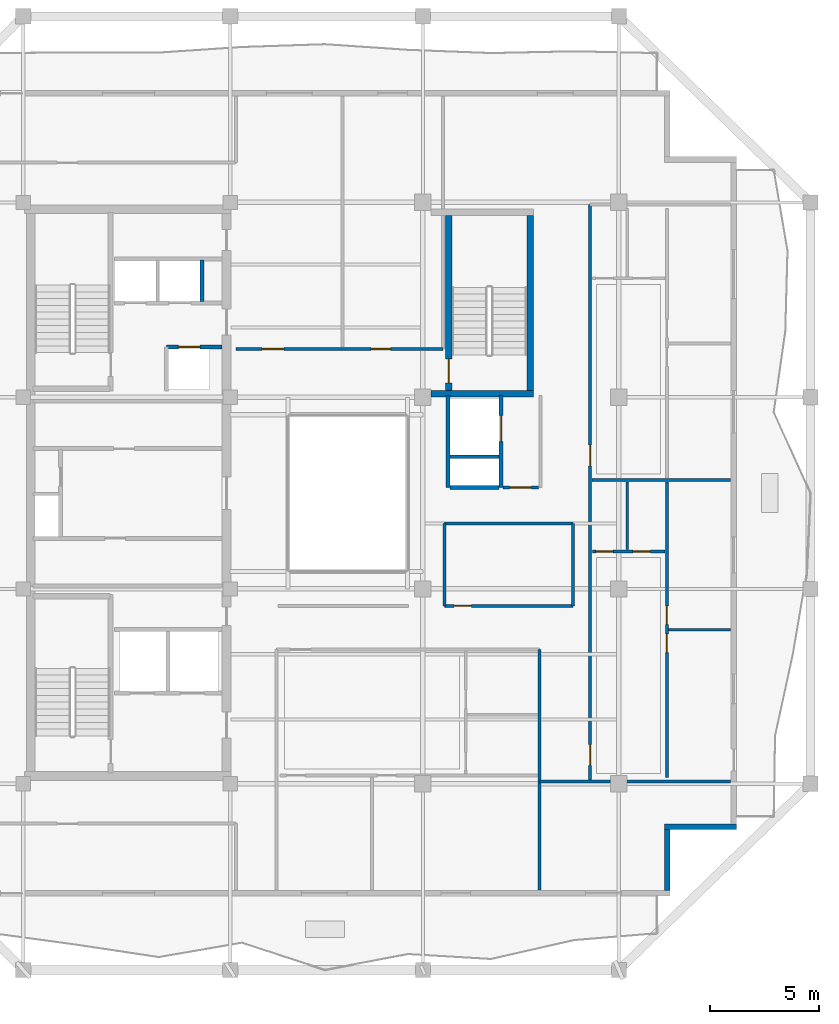
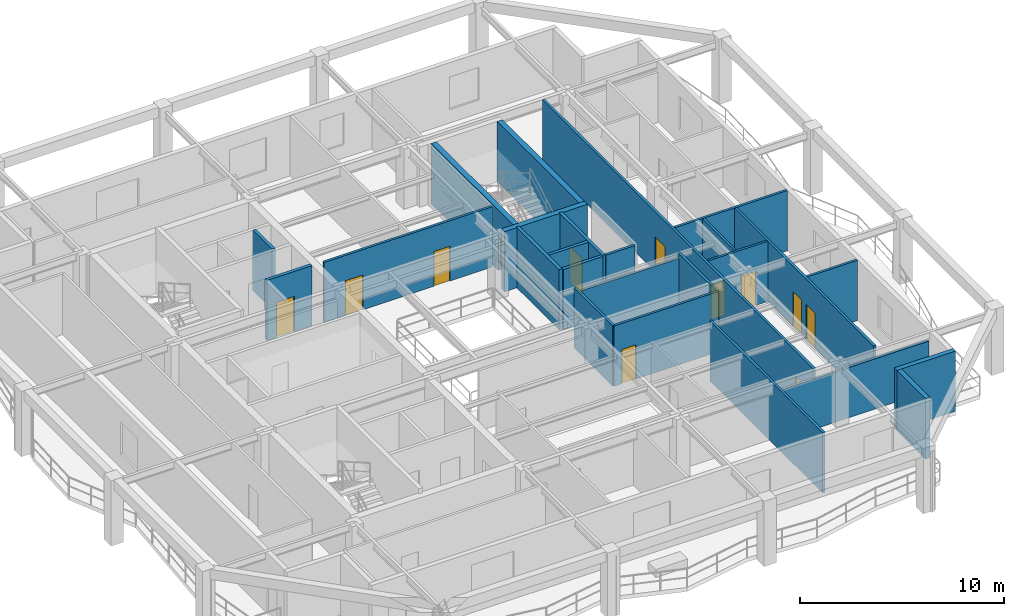
# One storey, part 4 of 10: 25 walls, 13 doors, 13 openings.
"""IFC4 building model written with IfcOpenShell, lengths in metres."""

from ifc_helpers import new_model, si_unit, direction, frame, frame_2d, origin, place, context, subcontext, project, spatial, rectangle, extrude, material, layer, layer_set, type_object, element, fill, save


model = new_model("IFC4")

# Units and contexts
model_context = context("Model", 3, precision=1e-05, world=origin(), true_north=direction((0.0, 1.0)))
body_context = subcontext(model_context, "Body", "Model", "MODEL_VIEW")
ifc_project = project(units=[si_unit("LENGTHUNIT", "METRE"), si_unit("AREAUNIT", "SQUARE_METRE"), si_unit("VOLUMEUNIT", "CUBIC_METRE"), si_unit("PLANEANGLEUNIT", "RADIAN"), si_unit("MASSUNIT", "GRAM", prefix="KILO")], contexts=[model_context])

# Site, building, storey
site_placement = place(None, origin())
site = spatial("IfcSite", under=ifc_project, at=site_placement, CompositionType="ELEMENT")
building_placement = place(site_placement, origin())
building = spatial("IfcBuilding", under=site, at=building_placement, Name="Kundavana Baori Tower", CompositionType="ELEMENT")
storey_placement = place(building_placement, frame((0.0, 0.0, 303.800048828125)))
storey = spatial("IfcBuildingStorey", under=building, at=storey_placement, Name="L75", CompositionType="ELEMENT", Elevation=303.800048828125)

# Walls
ifc_material_1 = material(Name="Kiln-Fired Terracotta Brick-Slip Masonry on Concrete C40/50", Category="masonry")
ifc_layer_1 = layer(ifc_material_1, 0.260009765625, Name="WL-EXT-BRK-260")
ifc_layer_set_1 = layer_set([ifc_layer_1], Name="Kiln-Fired Terracotta Brick-Slip Masonry on Concrete C40/50")
wall_type_1 = type_object("IfcWallType", Name="WL-EXT-BRK-260", PredefinedType="SOLIDWALL", material=ifc_layer_set_1)
wall_1_placement = place(storey_placement, frame((45.02001953125, 10.360107421875, 0.0), z_axis=(0.0, 0.0, 1.0), x_axis=(0.0, 1.0, 0.0)))
element("IfcWall", 1, at=wall_1_placement, inside=storey, type_object=wall_type_1, Name="L75 Exterior Insulated Facade Wall 02", PredefinedType="SOLIDWALL", context=body_context, shape_type="SweptSolid", body=[
    extrude(rectangle(XDim=2.789794921875, YDim=0.260009765625, at=frame_2d((1.39501953125, 0.0))), origin(), (0.0, 0.0, 1.0), 3.599853515625),
])
wall_2_placement = place(storey_placement, frame((44.889892578125, 13.280029296875, 0.0), z_axis=(0.0, 0.0, 1.0), x_axis=(1.0, 0.0, 0.0)))
element("IfcWall", 2, at=wall_2_placement, inside=storey, type_object=wall_type_1, Name="L75 Exterior Insulated Facade Wall 03", PredefinedType="SOLIDWALL", context=body_context, shape_type="SweptSolid", body=[
    extrude(rectangle(XDim=3.31005859375, YDim=0.260009765625, at=frame_2d((1.655029296875, 0.0))), origin(), (0.0, 0.0, 1.0), 3.599853515625),
])

# Wall, openings, doors
ifc_material_2 = material(Name="Acoustic Gypsum Plasterboard on Galvanised Steel Studs", Category="steel")
ifc_layer_2 = layer(ifc_material_2, 0.135009765625, Name="WL-PART-135")
ifc_layer_set_2 = layer_set([ifc_layer_2], Name="Acoustic Gypsum Plasterboard on Galvanised Steel Studs")
wall_type_2 = type_object("IfcWallType", Name="WL-PART-135", PredefinedType="PARTITIONING", material=ifc_layer_set_2)
wall_3_placement = place(storey_placement, frame((25.219970703125, 35.219970703125, 0.0), z_axis=(0.0, 0.0, 1.0), x_axis=(1.0, 0.0, 0.0)))
wall_3 = element("IfcWall", 3, at=wall_3_placement, inside=storey, type_object=wall_type_2, Name="WL-L75-RN", PredefinedType="PARTITIONING", context=body_context, shape_type="SweptSolid", body=[
    extrude(rectangle(XDim=9.5, YDim=0.135009765625, at=frame_2d((4.75, 0.0))), origin(), (0.0, 0.0, 1.0), 3.599853515625),
])
opening_1_placement = place(wall_3_placement, frame((1.199951171875, 0.0, 0.0)))
opening_1 = element("IfcOpeningElement", 4, at=opening_1_placement, cuts=wall_3, Name="Opening ID-100", PredefinedType="OPENING", context=body_context, shape_type="SweptSolid", body=[
    extrude(rectangle(XDim=1.0, YDim=2.080078125, at=frame_2d((0.5, 1.0400390625))), frame((0.0, 0.07763671875, 0.0), z_axis=(0.0, -1.0, 0.0), x_axis=(1.0, 0.0, 0.0)), (0.0, 0.0, 1.0), 0.155029296875),
])
opening_2_placement = place(wall_3_placement, frame((6.199951171875, 0.0, 0.0)))
opening_2 = element("IfcOpeningElement", 5, at=opening_2_placement, cuts=wall_3, Name="Opening ID-090", PredefinedType="OPENING", context=body_context, shape_type="SweptSolid", body=[
    extrude(rectangle(XDim=0.89990234375, YDim=2.080078125, at=frame_2d((0.449951171875, 1.0400390625))), frame((0.0, 0.07763671875, 0.0), z_axis=(0.0, -1.0, 0.0), x_axis=(1.0, 0.0, 0.0)), (0.0, 0.0, 1.0), 0.155029296875),
])
ifc_material_3 = material(Name="Engineered Teak Solid-Core Timber Veneer", Category="wood")
door_type_1 = type_object("IfcDoorType", Name="DR-INT-1000", OperationType="NOTDEFINED", PredefinedType="DOOR", material=ifc_material_3)
door_1_placement = place(opening_1_placement, origin())
door_1 = element("IfcDoor", 6, at=door_1_placement, inside=storey, type_object=door_type_1, Name="DR-L75-RLN1", OperationType="SINGLE_SWING_LEFT", OverallHeight=2.080078125, OverallWidth=1.0, PredefinedType="DOOR", context=body_context, shape_type="SweptSolid", body=[
    extrude(rectangle(XDim=1.0, YDim=2.080078125, at=frame_2d((0.5, 1.0400390625))), frame((0.0, 0.02490234375, 0.0), z_axis=(0.0, -1.0, 0.0), x_axis=(1.0, 0.0, 0.0)), (0.0, 0.0, 1.0), 0.050048828125),
])
fill(opening_1, door_1)
ifc_material_4 = material(Name="Engineered Teak Solid-Core Timber Veneer", Category="wood")
door_type_2 = type_object("IfcDoorType", Name="DR-INT-900", OperationType="NOTDEFINED", PredefinedType="DOOR", material=ifc_material_4)
door_2_placement = place(opening_2_placement, origin())
door_2 = element("IfcDoor", 7, at=door_2_placement, inside=storey, type_object=door_type_2, Name="DR-L75-RLN2", OperationType="SINGLE_SWING_RIGHT", OverallHeight=2.080078125, OverallWidth=0.89990234375, PredefinedType="DOOR", context=body_context, shape_type="SweptSolid", body=[
    extrude(rectangle(XDim=0.89990234375, YDim=2.080078125, at=frame_2d((0.449951171875, 1.0400390625))), frame((0.0, 0.02490234375, 0.0), z_axis=(0.0, -1.0, 0.0), x_axis=(1.0, 0.0, 0.0)), (0.0, 0.0, 1.0), 0.050048828125),
])
fill(opening_2, door_2)

# Wall
wall_4_placement = place(storey_placement, frame((39.14990234375, 10.3798828125, 0.0), z_axis=(0.0, 0.0, 1.0), x_axis=(0.0, 1.0, 0.0)))
element("IfcWall", 8, at=wall_4_placement, inside=storey, type_object=wall_type_2, Name="WL-L75-RSEND", PredefinedType="PARTITIONING", context=body_context, shape_type="SweptSolid", body=[
    extrude(rectangle(XDim=11.0400390625, YDim=0.135009765625, at=frame_2d((5.52001953125, 0.0))), origin(), (0.0, 0.0, 1.0), 3.599853515625),
])

# Wall, openings, doors
wall_5_placement = place(storey_placement, frame((41.47998046875, 15.35009765625, 0.0), z_axis=(0.0, 0.0, 1.0), x_axis=(0.0, 1.0, 0.0)))
wall_5 = element("IfcWall", 9, at=wall_5_placement, inside=storey, type_object=wall_type_2, Name="WL-L75-RE", PredefinedType="PARTITIONING", context=body_context, shape_type="SweptSolid", body=[
    extrude(rectangle(XDim=26.5, YDim=0.135009765625, at=frame_2d((13.25, 0.0))), origin(), (0.0, 0.0, 1.0), 3.599853515625),
])
opening_3_placement = place(wall_5_placement, frame((0.75, 0.0, 0.0)))
opening_3 = element("IfcOpeningElement", 10, at=opening_3_placement, cuts=wall_5, Name="Opening FD-095", PredefinedType="OPENING", context=body_context, shape_type="SweptSolid", body=[
    extrude(rectangle(XDim=0.949951171875, YDim=2.10009765625, at=frame_2d((0.47509765625, 1.050048828125))), frame((0.0, 0.07763671875, 0.0), z_axis=(0.0, -1.0, 0.0), x_axis=(1.0, 0.0, 0.0)), (0.0, 0.0, 1.0), 0.155029296875),
])
opening_4_placement = place(wall_5_placement, frame((14.5, 0.0, 0.0)))
opening_4 = element("IfcOpeningElement", 11, at=opening_4_placement, cuts=wall_5, Name="Opening FD-095", PredefinedType="OPENING", context=body_context, shape_type="SweptSolid", body=[
    extrude(rectangle(XDim=0.949951171875, YDim=2.10009765625, at=frame_2d((0.47509765625, 1.050048828125))), frame((0.0, 0.07763671875, 0.0), z_axis=(0.0, -1.0, 0.0), x_axis=(1.0, 0.0, 0.0)), (0.0, 0.0, 1.0), 0.155029296875),
])
ifc_material_5 = material(Name="Engineered Teak Fire-Rated Timber Door Leaf", Category="wood")
door_type_3 = type_object("IfcDoorType", Name="DR-FD60-950", OperationType="NOTDEFINED", PredefinedType="DOOR", material=ifc_material_5)
door_3_placement = place(opening_3_placement, origin())
door_3 = element("IfcDoor", 12, at=door_3_placement, inside=storey, type_object=door_type_3, Name="DR-L75-E1-ENT", OperationType="SINGLE_SWING_LEFT", OverallHeight=2.10009765625, OverallWidth=0.949951171875, PredefinedType="DOOR", context=body_context, shape_type="SweptSolid", body=[
    extrude(rectangle(XDim=0.949951171875, YDim=2.10009765625, at=frame_2d((0.47509765625, 1.050048828125))), frame((0.0, 0.02490234375, 0.0), z_axis=(0.0, -1.0, 0.0), x_axis=(1.0, 0.0, 0.0)), (0.0, 0.0, 1.0), 0.050048828125),
])
fill(opening_3, door_3)
door_4_placement = place(opening_4_placement, origin())
door_4 = element("IfcDoor", 13, at=door_4_placement, inside=storey, type_object=door_type_3, Name="DR-L75-E2-ENT", OperationType="SINGLE_SWING_LEFT", OverallHeight=2.10009765625, OverallWidth=0.949951171875, PredefinedType="DOOR", context=body_context, shape_type="SweptSolid", body=[
    extrude(rectangle(XDim=0.949951171875, YDim=2.10009765625, at=frame_2d((0.47509765625, 1.050048828125))), frame((0.0, 0.02490234375, 0.0), z_axis=(0.0, -1.0, 0.0), x_axis=(1.0, 0.0, 0.0)), (0.0, 0.0, 1.0), 0.050048828125),
])
fill(opening_4, door_4)

# Wall
wall_6_placement = place(storey_placement, frame((39.14990234375, 15.35009765625, 0.0), z_axis=(0.0, 0.0, 1.0), x_axis=(1.0, 0.0, 0.0)))
element("IfcWall", 14, at=wall_6_placement, inside=storey, type_object=wall_type_2, Name="WL-L75-RES", PredefinedType="PARTITIONING", context=body_context, shape_type="SweptSolid", body=[
    extrude(rectangle(XDim=8.77001953125, YDim=0.135009765625, at=frame_2d((4.385009765625, 0.0))), origin(), (0.0, 0.0, 1.0), 3.0),
])

# Wall, openings, doors
wall_7_placement = place(storey_placement, frame((45.00390625, 15.530029296875, 0.0), z_axis=(0.0, 0.0, 1.0), x_axis=(0.0, 1.0, 0.0)))
wall_7 = element("IfcWall", 15, at=wall_7_placement, inside=storey, type_object=wall_type_2, Name="WL-L75-E1-VT", PredefinedType="PARTITIONING", context=body_context, shape_type="SweptSolid", body=[
    extrude(rectangle(XDim=13.590087890625, YDim=0.135009765625, at=frame_2d((6.794921875, 0.0))), origin(), (0.0, 0.0, 1.0), 3.599853515625),
])
opening_5_placement = place(wall_7_placement, frame((5.7451171875, 0.0, 0.0)))
opening_5 = element("IfcOpeningElement", 16, at=opening_5_placement, cuts=wall_7, Name="Opening ID-085", PredefinedType="OPENING", context=body_context, shape_type="SweptSolid", body=[
    extrude(rectangle(XDim=0.85009765625, YDim=2.080078125, at=frame_2d((0.425048828125, 1.0400390625))), frame((0.0, 0.07763671875, 0.0), z_axis=(0.0, -1.0, 0.0), x_axis=(1.0, 0.0, 0.0)), (0.0, 0.0, 1.0), 0.155029296875),
])
opening_6_placement = place(wall_7_placement, frame((7.044921875, 0.0, 0.0)))
opening_6 = element("IfcOpeningElement", 17, at=opening_6_placement, cuts=wall_7, Name="Opening ID-085", PredefinedType="OPENING", context=body_context, shape_type="SweptSolid", body=[
    extrude(rectangle(XDim=0.85009765625, YDim=2.080078125, at=frame_2d((0.425048828125, 1.0400390625))), frame((0.0, 0.07763671875, 0.0), z_axis=(0.0, -1.0, 0.0), x_axis=(1.0, 0.0, 0.0)), (0.0, 0.0, 1.0), 0.155029296875),
])
ifc_material_6 = material(Name="Engineered Teak Solid-Core Timber Veneer", Category="wood")
door_type_4 = type_object("IfcDoorType", Name="DR-INT-850", OperationType="NOTDEFINED", PredefinedType="DOOR", material=ifc_material_6)
door_5_placement = place(opening_5_placement, origin())
door_5 = element("IfcDoor", 18, at=door_5_placement, inside=storey, type_object=door_type_4, Name="DR-L75-E1-B1", OperationType="SINGLE_SWING_LEFT", OverallHeight=2.080078125, OverallWidth=0.85009765625, PredefinedType="DOOR", context=body_context, shape_type="SweptSolid", body=[
    extrude(rectangle(XDim=0.85009765625, YDim=2.080078125, at=frame_2d((0.425048828125, 1.0400390625))), frame((0.0, 0.02490234375, 0.0), z_axis=(0.0, -1.0, 0.0), x_axis=(1.0, 0.0, 0.0)), (0.0, 0.0, 1.0), 0.050048828125),
])
fill(opening_5, door_5)
door_6_placement = place(opening_6_placement, origin())
door_6 = element("IfcDoor", 19, at=door_6_placement, inside=storey, type_object=door_type_4, Name="DR-L75-E1-B2", OperationType="SINGLE_SWING_RIGHT", OverallHeight=2.080078125, OverallWidth=0.85009765625, PredefinedType="DOOR", context=body_context, shape_type="SweptSolid", body=[
    extrude(rectangle(XDim=0.85009765625, YDim=2.080078125, at=frame_2d((0.425048828125, 1.0400390625))), frame((0.0, 0.02490234375, 0.0), z_axis=(0.0, -1.0, 0.0), x_axis=(1.0, 0.0, 0.0)), (0.0, 0.0, 1.0), 0.050048828125),
])
fill(opening_6, door_6)

# Walls
wall_8_placement = place(storey_placement, frame((45.083984375, 22.324951171875, 0.0), z_axis=(0.0, 0.0, 1.0), x_axis=(1.0, 0.0, 0.0)))
element("IfcWall", 20, at=wall_8_placement, inside=storey, type_object=wall_type_2, Name="WL-L75-E1-BDH", PredefinedType="PARTITIONING", context=body_context, shape_type="SweptSolid", body=[
    extrude(rectangle(XDim=2.8359375, YDim=0.135009765625, at=frame_2d((1.41796875, 0.0))), origin(), (0.0, 0.0, 1.0), 3.599853515625),
])
wall_9_placement = place(storey_placement, frame((41.56005859375, 29.199951171875, 0.0), z_axis=(0.0, 0.0, 1.0), x_axis=(1.0, 0.0, 0.0)))
element("IfcWall", 21, at=wall_9_placement, inside=storey, type_object=wall_type_2, Name="WL-L75-RED1", PredefinedType="PARTITIONING", context=body_context, shape_type="SweptSolid", body=[
    extrude(rectangle(XDim=6.35986328125, YDim=0.135009765625, at=frame_2d((3.179931640625, 0.0))), origin(), (0.0, 0.0, 1.0), 3.599853515625),
])

# Wall, opening, door
wall_10_placement = place(storey_placement, frame((34.800048828125, 23.419921875, 0.0), z_axis=(0.0, 0.0, 1.0), x_axis=(1.0, 0.0, 0.0)))
wall_10 = element("IfcWall", 22, at=wall_10_placement, inside=storey, type_object=wall_type_2, Name="WL-L75-ALS", PredefinedType="PARTITIONING", context=body_context, shape_type="SweptSolid", body=[
    extrude(rectangle(XDim=5.89990234375, YDim=0.135009765625, at=frame_2d((2.949951171875, 0.0))), origin(), (0.0, 0.0, 1.0), 3.599853515625),
])
opening_7_placement = place(wall_10_placement, frame((0.429931640625, 0.0, 0.0)))
opening_7 = element("IfcOpeningElement", 23, at=opening_7_placement, cuts=wall_10, Name="Opening WD-080", PredefinedType="OPENING", context=body_context, shape_type="SweptSolid", body=[
    extrude(rectangle(XDim=0.800048828125, YDim=2.050048828125, at=frame_2d((0.39990234375, 1.02490234375))), frame((0.0, 0.07763671875, 0.0), z_axis=(0.0, -1.0, 0.0), x_axis=(1.0, 0.0, 0.0)), (0.0, 0.0, 1.0), 0.155029296875),
])
ifc_material_7 = material(Name="Engineered Teak Solid-Core Timber Veneer", Category="wood")
door_type_5 = type_object("IfcDoorType", Name="DR-WET-800", OperationType="NOTDEFINED", PredefinedType="DOOR", material=ifc_material_7)
door_7_placement = place(opening_7_placement, origin())
door_7 = element("IfcDoor", 24, at=door_7_placement, inside=storey, type_object=door_type_5, Name="DR-L75-RALC1", OperationType="SINGLE_SWING_LEFT", OverallHeight=2.050048828125, OverallWidth=0.800048828125, PredefinedType="DOOR", context=body_context, shape_type="SweptSolid", body=[
    extrude(rectangle(XDim=0.800048828125, YDim=2.050048828125, at=frame_2d((0.39990234375, 1.02490234375))), frame((0.0, 0.02490234375, 0.0), z_axis=(0.0, -1.0, 0.0), x_axis=(1.0, 0.0, 0.0)), (0.0, 0.0, 1.0), 0.050048828125),
])
fill(opening_7, door_7)

# Walls
wall_11_placement = place(storey_placement, frame((34.800048828125, 27.199951171875, 0.0), z_axis=(0.0, 0.0, 1.0), x_axis=(1.0, 0.0, 0.0)))
element("IfcWall", 25, at=wall_11_placement, inside=storey, type_object=wall_type_2, Name="WL-L75-ALN", PredefinedType="PARTITIONING", context=body_context, shape_type="SweptSolid", body=[
    extrude(rectangle(XDim=5.89990234375, YDim=0.135009765625, at=frame_2d((2.949951171875, 0.0))), origin(), (0.0, 0.0, 1.0), 3.300048828125),
])
for number, where, z_axis, x_axis, name in (
    (26, (34.800048828125, 23.419921875, 0.0), (0.0, 0.0, 1.0), (0.0, 1.0, 0.0), "WL-L75-ALW"),
    (27, (40.699951171875, 23.419921875, 0.0), (0.0, 0.0, 1.0), (0.0, 1.0, 0.0), "WL-L75-ALE"),
):
    element("IfcWall", number, at=place(storey_placement, frame(where, z_axis=z_axis, x_axis=x_axis)), inside=storey, type_object=wall_type_2, Name=name, PredefinedType="PARTITIONING", context=body_context, shape_type="SweptSolid", body=[
        extrude(rectangle(XDim=3.780029296875, YDim=0.135009765625, at=frame_2d((1.89013671875, 0.0))), origin(), (0.0, 0.0, 1.0), 3.599853515625),
    ])

# Wall, opening, door
ifc_material_8 = material(Name="Fire-Rated Gypsum Drywall on Galvanised Steel Studs", Category="steel")
ifc_layer_3 = layer(ifc_material_8, 0.14990234375, Name="WL-PART-150")
ifc_layer_set_3 = layer_set([ifc_layer_3], Name="Fire-Rated Gypsum Drywall on Galvanised Steel Studs")
wall_type_3 = type_object("IfcWallType", Name="WL-PART-150", PredefinedType="PARTITIONING", material=ifc_layer_set_3)
wall_12_placement = place(storey_placement, frame((37.47998046875, 28.860107421875, 0.0), z_axis=(0.0, 0.0, 1.0), x_axis=(1.0, 0.0, 0.0)))
wall_12 = element("IfcWall", 28, at=wall_12_placement, inside=storey, type_object=wall_type_3, Name="WL-L75-SVLOB-S", PredefinedType="PARTITIONING", context=body_context, shape_type="SweptSolid", body=[
    extrude(rectangle(XDim=1.64013671875, YDim=0.14990234375, at=frame_2d((0.820068359375, 0.0))), origin(), (0.0, 0.0, 1.0), 3.599853515625),
])
opening_8_placement = place(wall_12_placement, frame((0.300048828125, 0.0, 0.0)))
opening_8 = element("IfcOpeningElement", 29, at=opening_8_placement, cuts=wall_12, Name="Opening FD-100", PredefinedType="OPENING", context=body_context, shape_type="SweptSolid", body=[
    extrude(rectangle(XDim=1.0, YDim=2.10009765625, at=frame_2d((0.5, 1.050048828125))), frame((0.0, 0.0849609375, 0.0), z_axis=(0.0, -1.0, 0.0), x_axis=(1.0, 0.0, 0.0)), (0.0, 0.0, 1.0), 0.169921875),
])
ifc_material_9 = material(Name="Engineered Teak Fire-Rated Timber Door Leaf", Category="wood")
door_type_6 = type_object("IfcDoorType", Name="DR-FD60-1000", OperationType="NOTDEFINED", PredefinedType="DOOR", material=ifc_material_9)
door_8_placement = place(opening_8_placement, origin())
door_8 = element("IfcDoor", 30, at=door_8_placement, inside=storey, type_object=door_type_6, Name="DR-L75-SVLOB-OUT", OperationType="SINGLE_SWING_LEFT", OverallHeight=2.10009765625, OverallWidth=1.0, PredefinedType="DOOR", context=body_context, shape_type="SweptSolid", body=[
    extrude(rectangle(XDim=1.0, YDim=2.10009765625, at=frame_2d((0.5, 1.050048828125))), frame((0.0, 0.02490234375, 0.0), z_axis=(0.0, -1.0, 0.0), x_axis=(1.0, 0.0, 0.0)), (0.0, 0.0, 1.0), 0.050048828125),
])
fill(opening_8, door_8)

ifc_material_10 = material(Name="Autoclaved Aerated Concrete Blockwork Masonry", Category="masonry")
ifc_layer_4 = layer(ifc_material_10, 0.179931640625, Name="WL-SHAFT-180")
ifc_layer_set_4 = layer_set([ifc_layer_4], Name="Autoclaved Aerated Concrete Blockwork Masonry")
wall_type_4 = type_object("IfcWallType", Name="WL-SHAFT-180", PredefinedType="SOLIDWALL", material=ifc_layer_set_4)
wall_13_placement = place(storey_placement, frame((22.02001953125, 35.31005859375, 0.0), z_axis=(0.0, 0.0, 1.0), x_axis=(1.0, 0.0, 0.0)))
wall_13 = element("IfcWall", 31, at=wall_13_placement, inside=storey, type_object=wall_type_4, Name="WL-L75-LP11-N", PredefinedType="SOLIDWALL", context=body_context, shape_type="SweptSolid", body=[
    extrude(rectangle(XDim=2.56005859375, YDim=0.179931640625, at=frame_2d((1.280029296875, 0.0))), origin(), (0.0, 0.0, 1.0), 3.599853515625),
])
opening_9_placement = place(wall_13_placement, frame((0.550048828125, 0.0, 0.0)))
opening_9 = element("IfcOpeningElement", 32, at=opening_9_placement, cuts=wall_13, Name="Opening LD-100", PredefinedType="OPENING", context=body_context, shape_type="SweptSolid", body=[
    extrude(rectangle(XDim=1.0, YDim=2.10009765625, at=frame_2d((0.5, 1.050048828125))), frame((0.0, 0.10009765625, 0.0), z_axis=(0.0, -1.0, 0.0), x_axis=(1.0, 0.0, 0.0)), (0.0, 0.0, 1.0), 0.199951171875),
])
ifc_material_11 = material(Name="Galvanised Steel Fire-Rated Door Leaf", Category="steel")
door_type_7 = type_object("IfcDoorType", Name="DR-SLIDE-LD1000", OperationType="NOTDEFINED", PredefinedType="DOOR", material=ifc_material_11)
door_9_placement = place(opening_9_placement, origin())
door_9 = element("IfcDoor", 33, at=door_9_placement, inside=storey, type_object=door_type_7, Name="DR-L75-LD-LP11", OperationType="DOUBLE_DOOR_SLIDING", OverallHeight=2.10009765625, OverallWidth=1.0, PredefinedType="DOOR", context=body_context, shape_type="SweptSolid", body=[
    extrude(rectangle(XDim=1.0, YDim=2.10009765625, at=frame_2d((0.5, 1.050048828125))), frame((0.0, 0.02490234375, 0.0), z_axis=(0.0, -1.0, 0.0), x_axis=(1.0, 0.0, 0.0)), (0.0, 0.0, 1.0), 0.050048828125),
])
fill(opening_9, door_9)

# Walls
wall_14_placement = place(storey_placement, frame((23.659912109375, 37.39990234375, 0.0), z_axis=(0.0, 0.0, 1.0), x_axis=(0.0, 1.0, 0.0)))
element("IfcWall", 34, at=wall_14_placement, inside=storey, type_object=wall_type_4, Name="WL-L75-HR-DIV2", PredefinedType="SOLIDWALL", context=body_context, shape_type="SweptSolid", body=[
    extrude(rectangle(XDim=1.900146484375, YDim=0.179931640625, at=frame_2d((0.9501953125, 0.0))), origin(), (0.0, 0.0, 1.0), 3.599853515625),
])
wall_15_placement = place(storey_placement, frame((34.9599609375, 28.860107421875, 0.0), z_axis=(0.0, 0.0, 1.0), x_axis=(0.0, 1.0, 0.0)))
element("IfcWall", 35, at=wall_15_placement, inside=storey, type_object=wall_type_4, Name="WL-L75-SVL-W", PredefinedType="SOLIDWALL", context=body_context, shape_type="SweptSolid", body=[
    extrude(rectangle(XDim=4.219970703125, YDim=0.179931640625, at=frame_2d((2.10986328125, 0.0))), origin(), (0.0, 0.0, 1.0), 3.599853515625),
])

# Wall, opening, door
wall_16_placement = place(storey_placement, frame((37.389892578125, 28.860107421875, 0.0), z_axis=(0.0, 0.0, 1.0), x_axis=(0.0, 1.0, 0.0)))
wall_16 = element("IfcWall", 36, at=wall_16_placement, inside=storey, type_object=wall_type_4, Name="WL-L75-SVL-E", PredefinedType="SOLIDWALL", context=body_context, shape_type="SweptSolid", body=[
    extrude(rectangle(XDim=4.219970703125, YDim=0.179931640625, at=frame_2d((2.10986328125, 0.0))), origin(), (0.0, 0.0, 1.0), 3.599853515625),
])
opening_10_placement = place(wall_16_placement, frame((2.10009765625, 0.0, 0.0)))
opening_10 = element("IfcOpeningElement", 37, at=opening_10_placement, cuts=wall_16, Name="Opening LD-120", PredefinedType="OPENING", context=body_context, shape_type="SweptSolid", body=[
    extrude(rectangle(XDim=1.199951171875, YDim=2.1201171875, at=frame_2d((0.60009765625, 1.06005859375))), frame((0.0, 0.10009765625, 0.0), z_axis=(0.0, -1.0, 0.0), x_axis=(1.0, 0.0, 0.0)), (0.0, 0.0, 1.0), 0.199951171875),
])
ifc_material_12 = material(Name="Galvanised Steel Fire-Rated Door Leaf", Category="steel")
door_type_8 = type_object("IfcDoorType", Name="DR-SLIDE-LD1200", OperationType="NOTDEFINED", PredefinedType="DOOR", material=ifc_material_12)
door_10_placement = place(opening_10_placement, frame((1.199951171875, 0.0, 0.0), z_axis=(0.0, 0.0, 1.0), x_axis=(-1.0, 0.0, 0.0)))
door_10 = element("IfcDoor", 38, at=door_10_placement, inside=storey, type_object=door_type_8, Name="DR-L75-LD-SVL1", OperationType="DOUBLE_DOOR_SLIDING", OverallHeight=2.1201171875, OverallWidth=1.199951171875, PredefinedType="DOOR", context=body_context, shape_type="SweptSolid", body=[
    extrude(rectangle(XDim=1.199951171875, YDim=2.1201171875, at=frame_2d((0.60009765625, 1.06005859375))), frame((0.0, 0.02490234375, 0.0), z_axis=(0.0, -1.0, 0.0), x_axis=(1.0, 0.0, 0.0)), (0.0, 0.0, 1.0), 0.050048828125),
])
fill(opening_10, door_10)

# Walls
for number, where, z_axis, x_axis, name in (
    (39, (35.050048828125, 28.860107421875, 0.0), (0.0, 0.0, 1.0), (1.0, 0.0, 0.0), "WL-L75-SVL-S"),
    (40, (35.050048828125, 30.27001953125, 0.0), (0.0, 0.0, 1.0), (1.0, 0.0, 0.0), "WL-L75-SVL-M"),
):
    element("IfcWall", number, at=place(storey_placement, frame(where, z_axis=z_axis, x_axis=x_axis)), inside=storey, type_object=wall_type_4, Name=name, PredefinedType="SOLIDWALL", context=body_context, shape_type="SweptSolid", body=[
        extrude(rectangle(XDim=2.25, YDim=0.179931640625, at=frame_2d((1.125, 0.0))), origin(), (0.0, 0.0, 1.0), 3.599853515625),
    ])
ifc_material_13 = material(Name="Concrete C50/60", Category="concrete")
ifc_layer_5 = layer(ifc_material_13, 0.300048828125, Name="WL-ST3-300")
ifc_layer_set_5 = layer_set([ifc_layer_5], Name="Concrete C50/60")
wall_type_5 = type_object("IfcWallType", Name="WL-ST3-300", PredefinedType="SHEAR", material=ifc_layer_set_5)
wall_17_placement = place(storey_placement, frame((34.175048828125, 33.159912109375, 0.0), z_axis=(0.0, 0.0, 1.0), x_axis=(1.0, 0.0, 0.0)))
element("IfcWall", 41, at=wall_17_placement, inside=storey, type_object=wall_type_5, Name="L75 Stair ST3 South Shear Wall", PredefinedType="SHEAR", context=body_context, shape_type="SweptSolid", body=[
    extrude(rectangle(XDim=4.695068359375, YDim=0.300048828125, at=frame_2d((2.34765625, 0.0))), origin(), (0.0, 0.0, 1.0), 3.599853515625),
])

# Wall, opening, door
wall_18_placement = place(storey_placement, frame((34.97998046875, 33.31005859375, 0.0), z_axis=(0.0, 0.0, 1.0), x_axis=(0.0, 1.0, 0.0)))
wall_18 = element("IfcWall", 42, at=wall_18_placement, inside=storey, type_object=wall_type_5, Name="L75 Stair ST3 West Shear Wall", PredefinedType="SHEAR", context=body_context, shape_type="SweptSolid", body=[
    extrude(rectangle(XDim=8.030029296875, YDim=0.300048828125, at=frame_2d((4.01513671875, 0.0))), origin(), (0.0, 0.0, 1.0), 3.599853515625),
])
opening_11_placement = place(wall_18_placement, frame((0.35009765625, 0.0, 0.0)))
opening_11 = element("IfcOpeningElement", 43, at=opening_11_placement, cuts=wall_18, Name="Opening FD-110", PredefinedType="OPENING", context=body_context, shape_type="SweptSolid", body=[
    extrude(rectangle(XDim=1.10009765625, YDim=2.10009765625, at=frame_2d((0.550048828125, 1.050048828125))), frame((0.0, 0.16015625, 0.0), z_axis=(0.0, -1.0, 0.0), x_axis=(1.0, 0.0, 0.0)), (0.0, 0.0, 1.0), 0.320068359375),
])
ifc_material_14 = material(Name="Galvanised Steel Fire-Rated Door Leaf", Category="steel")
door_type_9 = type_object("IfcDoorType", Name="DR-FD120-1100", OperationType="NOTDEFINED", PredefinedType="DOOR", material=ifc_material_14)
door_11_placement = place(opening_11_placement, origin())
door_11 = element("IfcDoor", 44, at=door_11_placement, inside=storey, type_object=door_type_9, Name="DR-L75-ST3-W", OperationType="SINGLE_SWING_LEFT", OverallHeight=2.10009765625, OverallWidth=1.10009765625, PredefinedType="DOOR", context=body_context, shape_type="SweptSolid", body=[
    extrude(rectangle(XDim=1.10009765625, YDim=2.10009765625, at=frame_2d((0.550048828125, 1.050048828125))), frame((0.0, 0.02490234375, 0.0), z_axis=(0.0, -1.0, 0.0), x_axis=(1.0, 0.0, 0.0)), (0.0, 0.0, 1.0), 0.050048828125),
])
fill(opening_11, door_11)

# Wall
wall_19_placement = place(storey_placement, frame((38.719970703125, 33.31005859375, 0.0), z_axis=(0.0, 0.0, 1.0), x_axis=(0.0, 1.0, 0.0)))
element("IfcWall", 45, at=wall_19_placement, inside=storey, type_object=wall_type_5, Name="L75 Stair ST3 East Shear Wall", PredefinedType="SHEAR", context=body_context, shape_type="SweptSolid", body=[
    extrude(rectangle(XDim=8.030029296875, YDim=0.300048828125, at=frame_2d((4.01513671875, 0.0))), origin(), (0.0, 0.0, 1.0), 3.599853515625),
])

# Wall, openings, doors
ifc_material_15 = material(Name="Autoclaved Aerated Concrete Blockwork Masonry", Category="masonry")
ifc_layer_6 = layer(ifc_material_15, 0.125, Name="WL-WET-120")
ifc_layer_set_6 = layer_set([ifc_layer_6], Name="Autoclaved Aerated Concrete Blockwork Masonry")
wall_type_6 = type_object("IfcWallType", Name="WL-WET-120", PredefinedType="PLUMBINGWALL", material=ifc_layer_set_6)
wall_20_placement = place(storey_placement, frame((41.580078125, 25.919921875, 0.0), z_axis=(0.0, 0.0, 1.0), x_axis=(1.0, 0.0, 0.0)))
wall_20 = element("IfcWall", 46, at=wall_20_placement, inside=storey, type_object=wall_type_6, Name="WL-L75-E1-KH", PredefinedType="PLUMBINGWALL", context=body_context, shape_type="SweptSolid", body=[
    extrude(rectangle(XDim=3.343994140625, YDim=0.125, at=frame_2d((1.671875, 0.0))), origin(), (0.0, 0.0, 1.0), 3.599853515625),
])
opening_12_placement = place(wall_20_placement, frame((0.159912109375, 0.0, 0.0)))
opening_12 = element("IfcOpeningElement", 47, at=opening_12_placement, cuts=wall_20, Name="Opening WD-080", PredefinedType="OPENING", context=body_context, shape_type="SweptSolid", body=[
    extrude(rectangle(XDim=0.800048828125, YDim=2.050048828125, at=frame_2d((0.39990234375, 1.02490234375))), frame((0.0, 0.072509765625, 0.0), z_axis=(0.0, -1.0, 0.0), x_axis=(1.0, 0.0, 0.0)), (0.0, 0.0, 1.0), 0.14501953125),
])
opening_13_placement = place(wall_20_placement, frame((1.864990234375, 0.0, 0.0)))
opening_13 = element("IfcOpeningElement", 48, at=opening_13_placement, cuts=wall_20, Name="Opening WD-080", PredefinedType="OPENING", context=body_context, shape_type="SweptSolid", body=[
    extrude(rectangle(XDim=0.800048828125, YDim=2.050048828125, at=frame_2d((0.39990234375, 1.02490234375))), frame((0.0, 0.072509765625, 0.0), z_axis=(0.0, -1.0, 0.0), x_axis=(1.0, 0.0, 0.0)), (0.0, 0.0, 1.0), 0.14501953125),
])
door_12_placement = place(opening_12_placement, origin())
door_12 = element("IfcDoor", 49, at=door_12_placement, inside=storey, type_object=door_type_5, Name="DR-L75-E1-BT", OperationType="SINGLE_SWING_LEFT", OverallHeight=2.050048828125, OverallWidth=0.800048828125, PredefinedType="DOOR", context=body_context, shape_type="SweptSolid", body=[
    extrude(rectangle(XDim=0.800048828125, YDim=2.050048828125, at=frame_2d((0.39990234375, 1.02490234375))), frame((0.0, 0.02490234375, 0.0), z_axis=(0.0, -1.0, 0.0), x_axis=(1.0, 0.0, 0.0)), (0.0, 0.0, 1.0), 0.050048828125),
])
fill(opening_12, door_12)
door_13_placement = place(opening_13_placement, origin())
door_13 = element("IfcDoor", 50, at=door_13_placement, inside=storey, type_object=door_type_5, Name="DR-L75-E1-KT", OperationType="SINGLE_SWING_RIGHT", OverallHeight=2.050048828125, OverallWidth=0.800048828125, PredefinedType="DOOR", context=body_context, shape_type="SweptSolid", body=[
    extrude(rectangle(XDim=0.800048828125, YDim=2.050048828125, at=frame_2d((0.39990234375, 1.02490234375))), frame((0.0, 0.02490234375, 0.0), z_axis=(0.0, -1.0, 0.0), x_axis=(1.0, 0.0, 0.0)), (0.0, 0.0, 1.0), 0.050048828125),
])
fill(opening_13, door_13)

# Wall
wall_21_placement = place(storey_placement, frame((43.18505859375, 26.0, 0.0), z_axis=(0.0, 0.0, 1.0), x_axis=(0.0, 1.0, 0.0)))
element("IfcWall", 51, at=wall_21_placement, inside=storey, type_object=wall_type_6, Name="WL-L75-E1-BV", PredefinedType="PLUMBINGWALL", context=body_context, shape_type="SweptSolid", body=[
    extrude(rectangle(XDim=3.1201171875, YDim=0.125, at=frame_2d((1.56005859375, 0.0))), origin(), (0.0, 0.0, 1.0), 3.599853515625),
])

save(model, "model.ifc")
